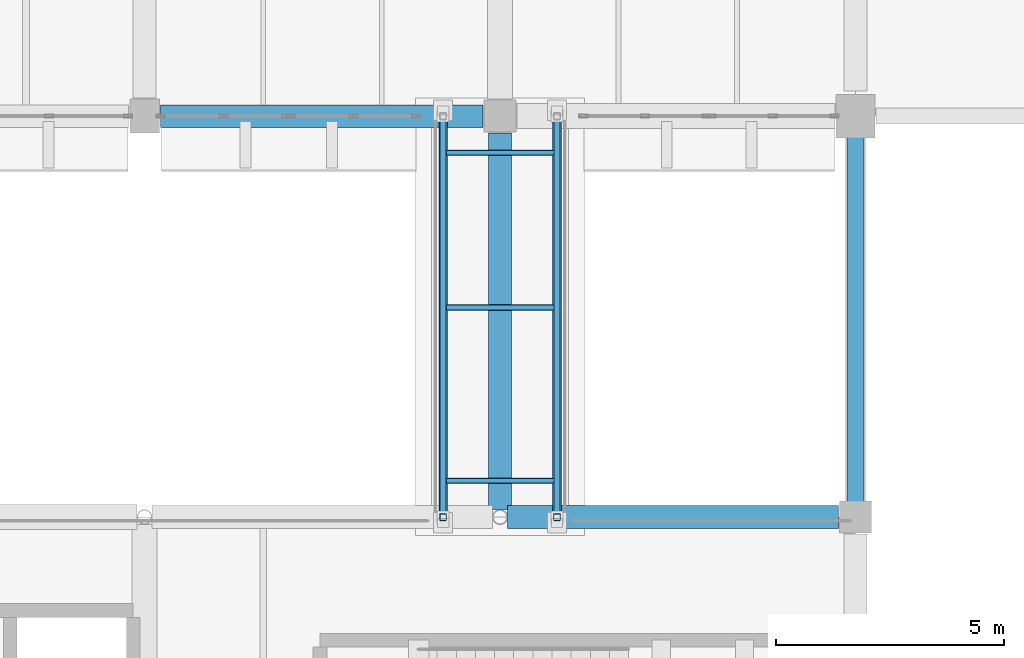
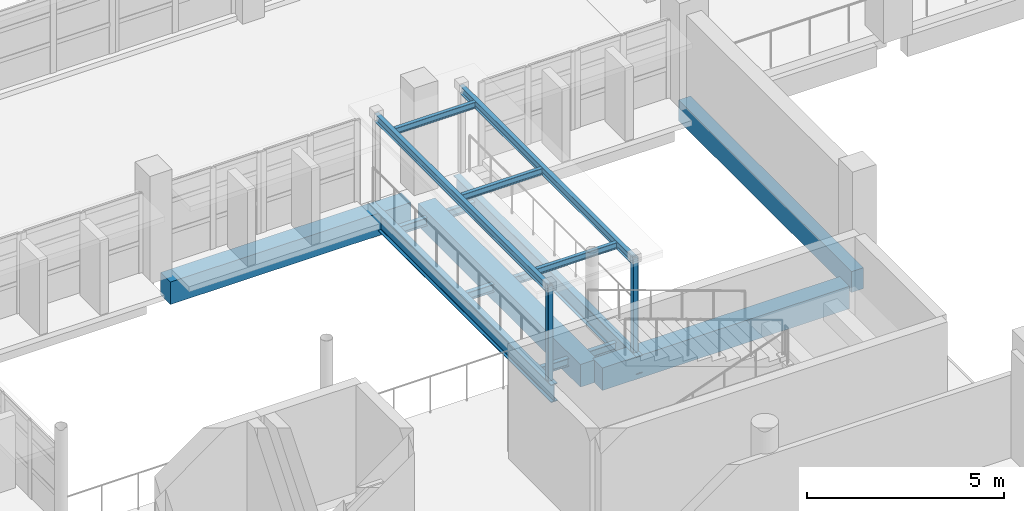
# One storey, part 26 of 75: 14 beams, 2 members.
"""IFC4 building model written with IfcOpenShell, lengths in metres."""

from ifc_helpers import new_model, si_unit, direction, frame, origin, origin_2d, place, context, subcontext, project, spatial, rectangle, hollow_rectangle, i_section, extrude, material, material_profile, profile_set, type_object, element, save


model = new_model("IFC4")

# Units and contexts
model_context = context("Model", 3, precision=1e-05, world=origin(), true_north=direction((0.0, 1.0)))
body_context = subcontext(model_context, "Body", "Model", "MODEL_VIEW")
ifc_project = project(units=[si_unit("LENGTHUNIT", "METRE"), si_unit("AREAUNIT", "SQUARE_METRE"), si_unit("VOLUMEUNIT", "CUBIC_METRE"), si_unit("PLANEANGLEUNIT", "RADIAN"), si_unit("MASSUNIT", "GRAM", prefix="KILO")], contexts=[model_context])

# Site, building, storey
site_placement = place(None, origin())
site = spatial("IfcSite", under=ifc_project, at=site_placement, CompositionType="ELEMENT")
building_placement = place(site_placement, origin())
building = spatial("IfcBuilding", under=site, at=building_placement, Name="Varnakota Cinema and Media Centre", CompositionType="ELEMENT")
storey_placement = place(building_placement, frame((0.0, 0.0, 8.39990234375)))
storey = spatial("IfcBuildingStorey", under=building, at=storey_placement, Name="L02", CompositionType="ELEMENT", Elevation=8.39990234375)

# Beams
ifc_material_1 = material(Name="Concrete M35", Category="concrete")
ifc_material_profile_1 = material_profile(ifc_material_1, rectangle(XDim=0.5, YDim=0.699951171875, at=origin_2d()), Name="RCB 500x700")
ifc_profile_set_1 = profile_set([ifc_material_profile_1], Name="Concrete M35")
beam_type_1 = type_object("IfcBeamType", Name="BM-RC-500x700", PredefinedType="BEAM", material=ifc_profile_set_1)
beam_1_placement = place(storey_placement, frame((67.362060546875, 26.39990234375, -0.599853515625), z_axis=(1.0, 0.0, 0.0), x_axis=(0.0, 1.0, 0.0)))
element("IfcBeam", 1, at=beam_1_placement, inside=storey, type_object=beam_type_1, Name="L02 girder J-K/4", PredefinedType="BEAM", context=body_context, shape_type="SweptSolid", body=[
    extrude(rectangle(XDim=0.5, YDim=0.699951171875, at=origin_2d()), origin(), (0.0, 0.0, 1.0), 7.262939453125),
])
beam_2_placement = place(storey_placement, frame((59.75, 35.199951171875, -0.599853515625), z_axis=(1.0, 0.0, 0.0), x_axis=(0.0, 1.0, 0.0)))
element("IfcBeam", 2, at=beam_2_placement, inside=storey, type_object=beam_type_1, Name="L02 girder H-J/5", PredefinedType="BEAM", context=body_context, shape_type="SweptSolid", body=[
    extrude(rectangle(XDim=0.5, YDim=0.699951171875, at=origin_2d()), origin(), (0.0, 0.0, 1.0), 7.074951171875),
])
beam_3_placement = place(storey_placement, frame((67.199951171875, 26.56201171875, -0.599853515625), z_axis=(0.0, 1.0, 0.0), x_axis=(-1.0, 0.0, 0.0)))
element("IfcBeam", 3, at=beam_3_placement, inside=storey, type_object=beam_type_1, Name="L02 girder J/4-5", PredefinedType="BEAM", context=body_context, shape_type="SweptSolid", body=[
    extrude(rectangle(XDim=0.5, YDim=0.699951171875, at=origin_2d()), origin(), (0.0, 0.0, 1.0), 8.262939453125),
])
ifc_material_2 = material(Name="Concrete M40", Category="concrete")
ifc_material_profile_2 = material_profile(ifc_material_2, rectangle(XDim=0.35009765625, YDim=0.64990234375, at=origin_2d()), Name="RCB 350x650")
ifc_profile_set_2 = profile_set([ifc_material_profile_2], Name="Concrete M40")
beam_type_2 = type_object("IfcBeamType", Name="BM-SP-350x650", PredefinedType="SPANDREL", material=ifc_profile_set_2)
beam_4_placement = place(storey_placement, frame((75.0, 26.39990234375, -0.344970703125), z_axis=(0.0, 1.0, 0.0), x_axis=(-1.0, 0.0, 0.0)))
element("IfcBeam", 4, at=beam_4_placement, inside=storey, type_object=beam_type_2, Name="L02 hall west spandrel beam", PredefinedType="SPANDREL", context=body_context, shape_type="SweptSolid", body=[
    extrude(rectangle(XDim=0.35009765625, YDim=0.64990234375, at=origin_2d()), origin(), (0.0, 0.0, 1.0), 8.800048828125),
])
ifc_material_3 = material(Name="Structural steel Grade 350 (E350)", Category="steel")
ifc_material_profile_3 = material_profile(ifc_material_3, i_section(OverallWidth=0.10009765625, OverallDepth=0.199951171875, WebThickness=0.005615234375, FlangeThickness=0.0107421875, FilletRadius=0.010986328125, at=origin_2d()), Name="ISMB 200")
ifc_profile_set_3 = profile_set([ifc_material_profile_3], Name="Structural steel Grade 350 (E350)")
beam_type_3 = type_object("IfcBeamType", Name="BM-ST-ISMB200", PredefinedType="JOIST", material=ifc_profile_set_3)
for number, where, z_axis, x_axis, name in (
    (5, (66.02001953125, 27.199951171875, 2.590087890625), (1.0, 0.0, 0.0), (0.0, 1.0, 0.0), "L02 Chowk sky-bridge BR2 canopy tie 1"),
    (6, (66.02001953125, 31.0, 2.590087890625), (1.0, 0.0, 0.0), (0.0, 1.0, 0.0), "L02 Chowk sky-bridge BR2 canopy tie 2"),
    (7, (66.02001953125, 34.39990234375, 2.590087890625), (1.0, 0.0, 0.0), (0.0, 1.0, 0.0), "L02 Chowk sky-bridge BR2 canopy tie 3"),
):
    element("IfcBeam", number, at=place(storey_placement, frame(where, z_axis=z_axis, x_axis=x_axis)), inside=storey, type_object=beam_type_3, Name=name, PredefinedType="JOIST", context=body_context, shape_type="SweptSolid", body=[
        extrude(i_section(OverallWidth=0.10009765625, OverallDepth=0.199951171875, WebThickness=0.005615234375, FlangeThickness=0.0107421875, FilletRadius=0.010986328125, at=origin_2d()), origin(), (0.0, 0.0, 1.0), 2.35986328125),
    ])
ifc_material_4 = material(Name="Structural steel Grade 350 (E350)", Category="steel")
ifc_material_profile_4 = material_profile(ifc_material_4, i_section(OverallWidth=0.125, OverallDepth=0.25, WebThickness=0.0068359375, FlangeThickness=0.012451171875, FilletRadius=0.012939453125, at=origin_2d()), Name="ISMB 250")
ifc_profile_set_4 = profile_set([ifc_material_profile_4], Name="Structural steel Grade 350 (E350)")
beam_type_4 = type_object("IfcBeamType", Name="BM-ST-ISMB250", PredefinedType="JOIST", material=ifc_profile_set_4)
for number, where, z_axis, x_axis, name in (
    (8, (65.949951171875, 26.39990234375, 2.565185546875), (0.0, 1.0, 0.0), (-1.0, 0.0, 0.0), "L02 Chowk sky-bridge BR2 canopy beam 1"),
    (9, (68.449951171875, 26.39990234375, 2.565185546875), (0.0, 1.0, 0.0), (-1.0, 0.0, 0.0), "L02 Chowk sky-bridge BR2 canopy beam 2"),
):
    element("IfcBeam", number, at=place(storey_placement, frame(where, z_axis=z_axis, x_axis=x_axis)), inside=storey, type_object=beam_type_4, Name=name, PredefinedType="JOIST", context=body_context, shape_type="SweptSolid", body=[
        extrude(i_section(OverallWidth=0.125, OverallDepth=0.25, WebThickness=0.0068359375, FlangeThickness=0.012451171875, FilletRadius=0.012939453125, at=origin_2d()), origin(), (0.0, 0.0, 1.0), 8.800048828125),
    ])
for number, where, z_axis, x_axis, name in (
    (10, (66.050048828125, 27.199951171875, -0.52490234375), (1.0, 0.0, 0.0), (0.0, 1.0, 0.0), "L02 Chowk sky-bridge BR2 cross beam 1"),
    (11, (66.050048828125, 31.0, -0.52490234375), (1.0, 0.0, 0.0), (0.0, 1.0, 0.0), "L02 Chowk sky-bridge BR2 cross beam 2"),
    (12, (66.050048828125, 34.39990234375, -0.52490234375), (1.0, 0.0, 0.0), (0.0, 1.0, 0.0), "L02 Chowk sky-bridge BR2 cross beam 3"),
):
    element("IfcBeam", number, at=place(storey_placement, frame(where, z_axis=z_axis, x_axis=x_axis)), inside=storey, type_object=beam_type_4, Name=name, PredefinedType="JOIST", context=body_context, shape_type="SweptSolid", body=[
        extrude(i_section(OverallWidth=0.125, OverallDepth=0.25, WebThickness=0.0068359375, FlangeThickness=0.012451171875, FilletRadius=0.012939453125, at=origin_2d()), origin(), (0.0, 0.0, 1.0), 2.300048828125),
    ])
ifc_material_5 = material(Name="Structural steel Grade 350 (E350)", Category="steel")
ifc_material_profile_5 = material_profile(ifc_material_5, i_section(OverallWidth=0.18994140625, OverallDepth=0.550048828125, WebThickness=0.01123046875, FlangeThickness=0.019287109375, FilletRadius=0.01806640625, at=origin_2d()), Name="ISMB 550")
ifc_profile_set_5 = profile_set([ifc_material_profile_5], Name="Structural steel Grade 350 (E350)")
beam_type_5 = type_object("IfcBeamType", Name="BM-ST-ISMB550", PredefinedType="BEAM", material=ifc_profile_set_5)
for number, where, z_axis, x_axis, name in (
    (13, (65.949951171875, 26.14990234375, -0.52490234375), (0.0, 1.0, 0.0), (-1.0, 0.0, 0.0), "L02 Chowk sky-bridge BR2 main girder 1"),
    (14, (68.449951171875, 26.14990234375, -0.52490234375), (0.0, 1.0, 0.0), (-1.0, 0.0, 0.0), "L02 Chowk sky-bridge BR2 main girder 2"),
):
    element("IfcBeam", number, at=place(storey_placement, frame(where, z_axis=z_axis, x_axis=x_axis)), inside=storey, type_object=beam_type_5, Name=name, PredefinedType="BEAM", context=body_context, shape_type="SweptSolid", body=[
        extrude(i_section(OverallWidth=0.18994140625, OverallDepth=0.550048828125, WebThickness=0.01123046875, FlangeThickness=0.019287109375, FilletRadius=0.01806640625, at=origin_2d()), origin(), (0.0, 0.0, 1.0), 9.300048828125),
    ])

# Members
ifc_material_6 = material(Name="Structural steel S355 (YSt 355)", Category="steel")
ifc_material_profile_6 = material_profile(ifc_material_6, hollow_rectangle(XDim=0.14990234375, YDim=0.14990234375, WallThickness=0.008056640625, InnerFilletRadius=0.008056640625, OuterFilletRadius=0.01611328125, at=origin_2d()), Name="SHS 150x150x8")
ifc_profile_set_6 = profile_set([ifc_material_profile_6], Name="Structural steel S355 (YSt 355)")
member_type = type_object("IfcMemberType", Name="MEM-ST-SHS150x150x8", PredefinedType="STRUT", material=ifc_profile_set_6)
for number, where, z_axis, x_axis, name in (
    (15, (65.949951171875, 26.39990234375, -0.25), (0.0, 0.0, 1.0), (1.0, 0.0, 0.0), "L02 Chowk sky-bridge BR2 canopy frame strut 1.1"),
    (16, (68.449951171875, 26.39990234375, -0.25), (0.0, 0.0, 1.0), (1.0, 0.0, 0.0), "L02 Chowk sky-bridge BR2 canopy frame strut 2.1"),
):
    element("IfcMember", number, at=place(storey_placement, frame(where, z_axis=z_axis, x_axis=x_axis)), inside=storey, type_object=member_type, Name=name, PredefinedType="STRUT", context=body_context, shape_type="SweptSolid", body=[
        extrude(hollow_rectangle(XDim=0.14990234375, YDim=0.14990234375, WallThickness=0.008056640625, InnerFilletRadius=0.008056640625, OuterFilletRadius=0.01611328125, at=origin_2d()), origin(), (0.0, 0.0, 1.0), 2.940185546875),
    ])

save(model, "model.ifc")
